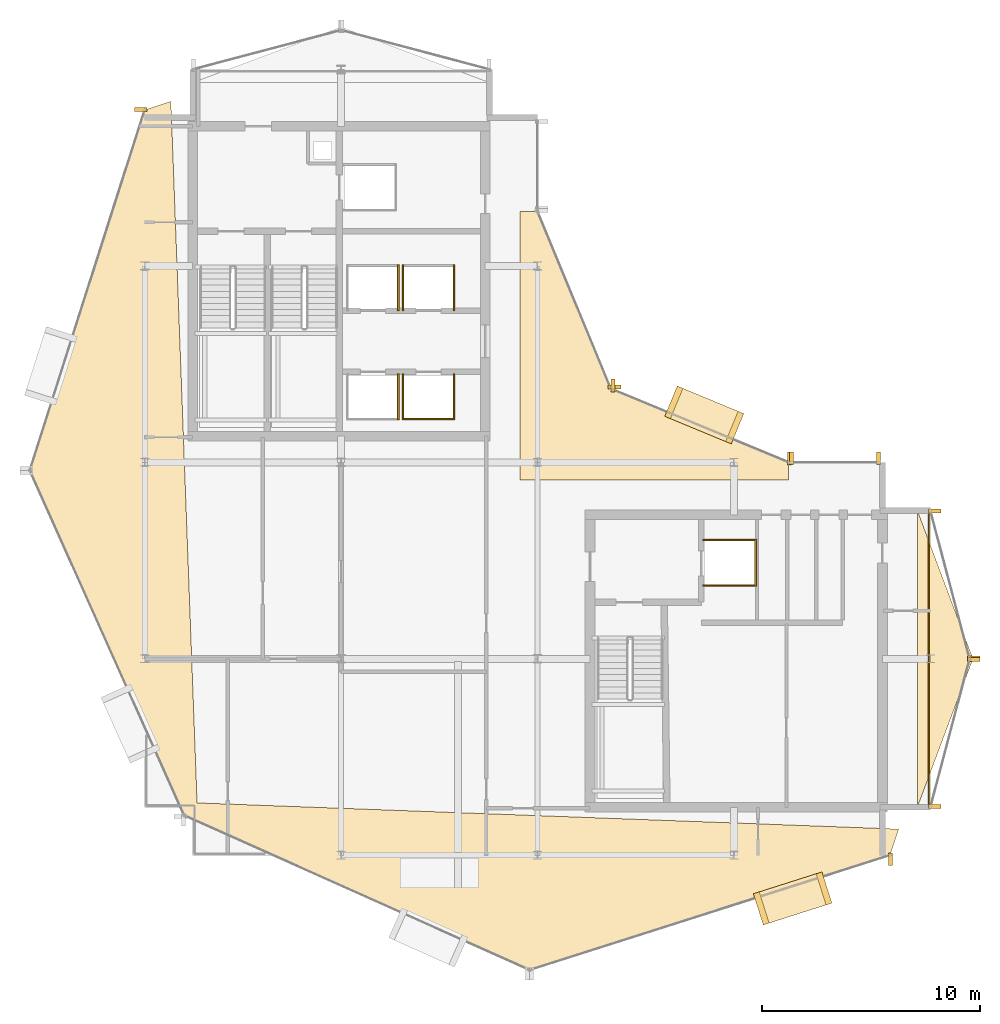
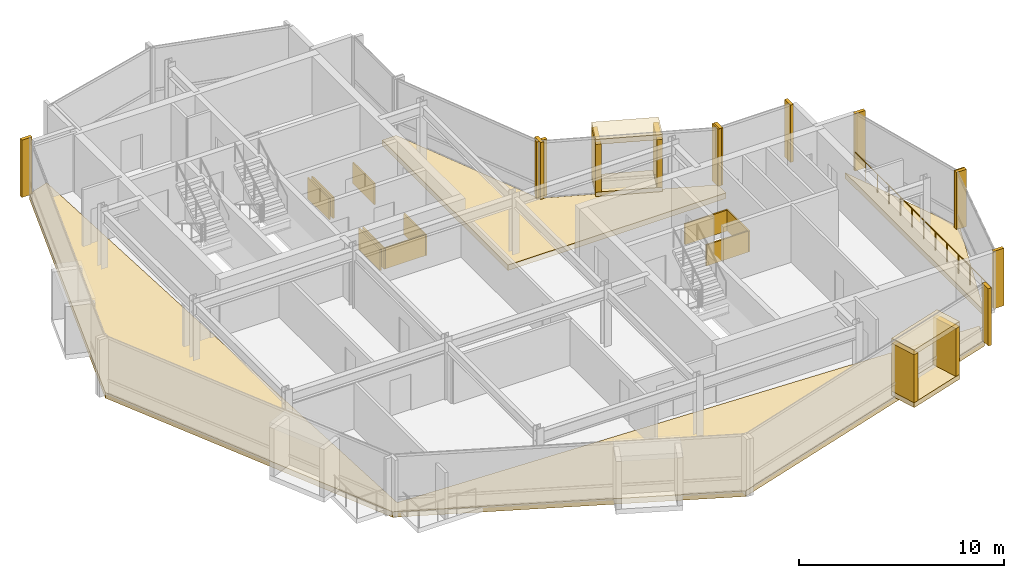
# One storey, part 18 of 19: 32 coverings, 1 railing.
"""IFC4 building model written with IfcOpenShell, lengths in metres."""

from ifc_helpers import new_model, si_unit, direction, frame, origin, origin_2d, place, context, subcontext, project, spatial, polyline, rectangle, circle, outline, extrude, material, layer, layer_set, type_object, element, save


model = new_model("IFC4")

# Units and contexts
model_context = context("Model", 3, precision=1e-05, world=origin(), true_north=direction((0.0, 1.0)))
body_context = subcontext(model_context, "Body", "Model", "MODEL_VIEW")
ifc_project = project(units=[si_unit("LENGTHUNIT", "METRE"), si_unit("AREAUNIT", "SQUARE_METRE"), si_unit("VOLUMEUNIT", "CUBIC_METRE"), si_unit("PLANEANGLEUNIT", "RADIAN"), si_unit("MASSUNIT", "GRAM", prefix="KILO")], contexts=[model_context])

# Site, building, storey
site_placement = place(None, origin())
site = spatial("IfcSite", under=ifc_project, at=site_placement, CompositionType="ELEMENT")
building_placement = place(site_placement, origin())
building = spatial("IfcBuilding", under=site, at=building_placement, Name="Solvaryn Broadcast Tower", CompositionType="ELEMENT")
storey_placement = place(building_placement, frame((0.0, 0.0, 274.10009765625)))
storey = spatial("IfcBuildingStorey", under=building, at=storey_placement, Name="L69", CompositionType="ELEMENT", Elevation=274.10009765625)

# Coverings
ifc_material_1 = material(Name="Fire-Rated Gypsum Shaftwall Liner", Category="concrete")
ifc_layer_1 = layer(ifc_material_1, 0.080078125)
ifc_layer_set_1 = layer_set([ifc_layer_1], Name="CV-SHAFT-LINER")
covering_type_1 = type_object("IfcCoveringType", Name="CV-SHAFT-LINER", PredefinedType="CLADDING", material=ifc_layer_set_1)
covering_1_placement = place(storey_placement, frame((20.614990234375, 30.0, 0.0), z_axis=(0.0, 0.0, 1.0), x_axis=(1.0, 0.0, 0.0)))
element("IfcCovering", 1, at=covering_1_placement, inside=storey, type_object=covering_type_1, Name="L69 PH1 Hoistway Shaft Liner East", PredefinedType="CLADDING", context=body_context, shape_type="SweptSolid", body=[
    extrude(rectangle(XDim=0.080078125, YDim=2.110107421875, at=origin_2d()), origin(), (0.0, 0.0, 1.0), 1.25),
])
covering_2_placement = place(storey_placement, frame((22.0, 28.985107421875, 0.0), z_axis=(0.0, 0.0, 1.0), x_axis=(1.0, 0.0, 0.0)))
element("IfcCovering", 2, at=covering_2_placement, inside=storey, type_object=covering_type_1, Name="L69 PH2 Hoistway Shaft Liner South", PredefinedType="CLADDING", context=body_context, shape_type="SweptSolid", body=[
    extrude(rectangle(XDim=2.409912109375, YDim=0.080078125, at=origin_2d()), origin(), (0.0, 0.0, 1.0), 1.25),
])
for number, where, z_axis, x_axis, name in (
    (3, (23.1650390625, 30.0, 0.0), (0.0, 0.0, 1.0), (1.0, 0.0, 0.0), "L69 PH2 Hoistway Shaft Liner East"),
    (4, (20.8349609375, 30.0, 0.0), (0.0, 0.0, 1.0), (1.0, 0.0, 0.0), "L69 PH2 Hoistway Shaft Liner West"),
    (5, (20.614990234375, 35.0, 0.0), (0.0, 0.0, 1.0), (1.0, 0.0, 0.0), "L69 PH3 Hoistway Shaft Liner East"),
    (6, (23.1650390625, 35.0, 0.0), (0.0, 0.0, 1.0), (1.0, 0.0, 0.0), "L69 PH4 Hoistway Shaft Liner East"),
    (7, (20.8349609375, 35.0, 0.0), (0.0, 0.0, 1.0), (1.0, 0.0, 0.0), "L69 PH4 Hoistway Shaft Liner West"),
):
    element("IfcCovering", number, at=place(storey_placement, frame(where, z_axis=z_axis, x_axis=x_axis)), inside=storey, type_object=covering_type_1, Name=name, PredefinedType="CLADDING", context=body_context, shape_type="SweptSolid", body=[
        extrude(rectangle(XDim=0.080078125, YDim=2.110107421875, at=origin_2d()), origin(), (0.0, 0.0, 1.0), 1.25),
    ])
for number, where, z_axis, x_axis, name in (
    (8, (35.800048828125, 23.43994140625, 0.0), (0.0, 0.0, 1.0), (1.0, 0.0, 0.0), "L69 FL2 Hoistway Shaft Liner North"),
    (9, (35.800048828125, 21.360107421875, 0.0), (0.0, 0.0, 1.0), (1.0, 0.0, 0.0), "L69 FL2 Hoistway Shaft Liner South"),
):
    element("IfcCovering", number, at=place(storey_placement, frame(where, z_axis=z_axis, x_axis=x_axis)), inside=storey, type_object=covering_type_1, Name=name, PredefinedType="CLADDING", context=body_context, shape_type="SweptSolid", body=[
        extrude(rectangle(XDim=2.4599609375, YDim=0.080078125, at=origin_2d()), origin(), (0.0, 0.0, 1.0), 1.25),
    ])
covering_3_placement = place(storey_placement, frame((36.989990234375, 22.39990234375, 0.0), z_axis=(0.0, 0.0, 1.0), x_axis=(1.0, 0.0, 0.0)))
element("IfcCovering", 10, at=covering_3_placement, inside=storey, type_object=covering_type_1, Name="L69 FL2 Hoistway Shaft Liner East", PredefinedType="CLADDING", context=body_context, shape_type="SweptSolid", body=[
    extrude(rectangle(XDim=0.080078125, YDim=2.159912109375, at=origin_2d()), origin(), (0.0, 0.0, 1.0), 1.25),
])
ifc_material_2 = material(Name="Glazed Architectural Terracotta Rainscreen Cladding", Category="masonry")
ifc_layer_2 = layer(ifc_material_2, 0.280029296875)
ifc_layer_set_2 = layer_set([ifc_layer_2], Name="CV-TC-CLAD")
covering_type_2 = type_object("IfcCoveringType", Name="CV-TC-CLAD", PredefinedType="CLADDING", material=ifc_layer_set_2)
for number, where, z_axis, x_axis, name in (
    (11, (38.68603515625, 7.02197265625, 3.1298828125), (0.0, 0.0, 1.0), (0.952820541996, 0.303534206887, 0.0), "L69 Projecting Stone Window Box Hood 4"),
    (12, (38.68603515625, 7.02197265625, -0.01025390625), (0.0, 0.0, 1.0), (0.952820541996, 0.303534206887, 0.0), "L69 Projecting Stone Window Box Sill 4"),
):
    element("IfcCovering", number, at=place(storey_placement, frame(where, z_axis=z_axis, x_axis=x_axis)), inside=storey, type_object=covering_type_2, Name=name, PredefinedType="CLADDING", context=body_context, shape_type="SweptSolid", body=[
        extrude(rectangle(XDim=3.300048828125, YDim=1.5, at=origin_2d()), origin(), (0.0, 0.0, 1.0), 0.300048828125),
    ])
for number, where, z_axis, x_axis, name in (
    (13, (37.247314453125, 6.563720703125, 0.27978515625), (0.0, 0.0, 1.0), (0.952820541996, 0.303534206887, 0.0), "L69 Projecting Stone Window Box Cheek 4-1"),
    (14, (40.124755859375, 7.480224609375, 0.27978515625), (0.0, 0.0, 1.0), (0.952820541996, 0.303534206887, 0.0), "L69 Projecting Stone Window Box Cheek 4-2"),
):
    element("IfcCovering", number, at=place(storey_placement, frame(where, z_axis=z_axis, x_axis=x_axis)), inside=storey, type_object=covering_type_2, Name=name, PredefinedType="CLADDING", context=body_context, shape_type="SweptSolid", body=[
        extrude(rectangle(XDim=0.280029296875, YDim=1.5, at=origin_2d()), origin(), (0.0, 0.0, 1.0), 2.860107421875),
    ])
for number, where, z_axis, x_axis, name in (
    (15, (34.636962890625, 29.174072265625, 3.1298828125), (0.0, 0.0, 1.0), (-0.923879532511, 0.382683432365, 0.0), "L69 Projecting Stone Window Box Hood 5"),
    (16, (34.636962890625, 29.174072265625, -0.01025390625), (0.0, 0.0, 1.0), (-0.923879532511, 0.382683432365, 0.0), "L69 Projecting Stone Window Box Sill 5"),
):
    element("IfcCovering", number, at=place(storey_placement, frame(where, z_axis=z_axis, x_axis=x_axis)), inside=storey, type_object=covering_type_2, Name=name, PredefinedType="CLADDING", context=body_context, shape_type="SweptSolid", body=[
        extrude(rectangle(XDim=3.300048828125, YDim=1.5, at=origin_2d()), origin(), (0.0, 0.0, 1.0), 0.300048828125),
    ])
for number, where, z_axis, x_axis, name in (
    (17, (36.031982421875, 28.59619140625, 0.27978515625), (0.0, 0.0, 1.0), (-0.923879532511, 0.382683432365, 0.0), "L69 Projecting Stone Window Box Cheek 5-1"),
    (18, (33.241943359375, 29.751953125, 0.27978515625), (0.0, 0.0, 1.0), (-0.923879532511, 0.382683432365, 0.0), "L69 Projecting Stone Window Box Cheek 5-2"),
):
    element("IfcCovering", number, at=place(storey_placement, frame(where, z_axis=z_axis, x_axis=x_axis)), inside=storey, type_object=covering_type_2, Name=name, PredefinedType="CLADDING", context=body_context, shape_type="SweptSolid", body=[
        extrude(rectangle(XDim=0.280029296875, YDim=1.5, at=origin_2d()), origin(), (0.0, 0.0, 1.0), 2.860107421875),
    ])
ifc_material_3 = material(Name="Extruded Architectural Terracotta Fin", Category="masonry")
ifc_layer_3 = layer(ifc_material_3, 0.179931640625)
ifc_layer_set_3 = layer_set([ifc_layer_3], Name="CV-TC-FIN")
covering_type_3 = type_object("IfcCoveringType", Name="CV-TC-FIN", PredefinedType="USERDEFINED", material=ifc_layer_set_3)
covering_4_placement = place(storey_placement, frame((8.819091796875, 43.17529296875, 0.0), z_axis=(0.0, 0.0, 1.0), x_axis=(1.0, 0.0, 0.0)))
element("IfcCovering", 19, at=covering_4_placement, inside=storey, type_object=covering_type_3, Name="L69 Terracotta Vertical Fin FIN-L69-DR1-M00", ObjectType="FIN", PredefinedType="USERDEFINED", context=body_context, shape_type="SweptSolid", body=[
    extrude(rectangle(XDim=0.580078125, YDim=0.179931640625, at=origin_2d()), origin(), (0.0, 0.0, 1.0), 3.419921875),
])
for number, where, z_axis, x_axis, name in (
    (20, (43.17529296875, 8.819091796875, 0.0), (0.0, 0.0, 1.0), (1.0, 0.0, 0.0), "L69 Terracotta Vertical Fin FIN-L69-DR4-M01"),
    (21, (38.541259765625, 27.177978515625, 0.0), (0.0, 0.0, 1.0), (1.0, 0.0, 0.0), "L69 Terracotta Vertical Fin FIN-L69-CN1-M00"),
    (22, (30.464599609375, 30.52294921875, 0.0), (0.0, 0.0, 1.0), (1.0, 0.0, 0.0), "L69 Terracotta Vertical Fin FIN-L69-CN1-M01"),
):
    element("IfcCovering", number, at=place(storey_placement, frame(where, z_axis=z_axis, x_axis=x_axis)), inside=storey, type_object=covering_type_3, Name=name, ObjectType="FIN", PredefinedType="USERDEFINED", context=body_context, shape_type="SweptSolid", body=[
        extrude(rectangle(XDim=0.179931640625, YDim=0.580078125, at=origin_2d()), origin(), (0.0, 0.0, 1.0), 3.419921875),
    ])
for number, where, z_axis, x_axis, name in (
    (23, (30.52294921875, 30.464599609375, 0.0), (0.0, 0.0, 1.0), (1.0, 0.0, 0.0), "L69 Terracotta Vertical Fin FIN-L69-CN2-M00"),
    (24, (45.1953125, 24.77099609375, 0.0), (0.0, 0.0, 1.0), (1.0, 0.0, 0.0), "L69 Terracotta Vertical Fin FIN-L69-ET1-M00"),
    (25, (46.979736328125, 18.029052734375, 0.0), (0.0, 0.0, 1.0), (1.0, 0.0, 0.0), "L69 Terracotta Vertical Fin FIN-L69-ET1-M01"),
    (26, (46.979736328125, 17.970947265625, 0.0), (0.0, 0.0, 1.0), (1.0, 0.0, 0.0), "L69 Terracotta Vertical Fin FIN-L69-ET2-M00"),
    (27, (45.1953125, 11.22900390625, 0.0), (0.0, 0.0, 1.0), (1.0, 0.0, 0.0), "L69 Terracotta Vertical Fin FIN-L69-ET2-M01"),
):
    element("IfcCovering", number, at=place(storey_placement, frame(where, z_axis=z_axis, x_axis=x_axis)), inside=storey, type_object=covering_type_3, Name=name, ObjectType="FIN", PredefinedType="USERDEFINED", context=body_context, shape_type="SweptSolid", body=[
        extrude(rectangle(XDim=0.580078125, YDim=0.179931640625, at=origin_2d()), origin(), (0.0, 0.0, 1.0), 3.419921875),
    ])
for number, where, z_axis, x_axis, name in (
    (28, (38.6298828125, 27.1875, 0.0), (0.0, 0.0, 1.0), (1.0, 0.0, 0.0), "L69 Terracotta Vertical Fin FIN-L69-IH-M00"),
    (29, (42.6201171875, 27.1875, 0.0), (0.0, 0.0, 1.0), (1.0, 0.0, 0.0), "L69 Terracotta Vertical Fin FIN-L69-IH-M01"),
):
    element("IfcCovering", number, at=place(storey_placement, frame(where, z_axis=z_axis, x_axis=x_axis)), inside=storey, type_object=covering_type_3, Name=name, ObjectType="FIN", PredefinedType="USERDEFINED", context=body_context, shape_type="SweptSolid", body=[
        extrude(rectangle(XDim=0.179931640625, YDim=0.580078125, at=origin_2d()), origin(), (0.0, 0.0, 1.0), 3.419921875),
    ])
ifc_material_4 = material(Name="Sculpted Architectural Terracotta Wave Fascia", Category="masonry")
ifc_layer_4 = layer(ifc_material_4, 0.340087890625)
ifc_layer_set_4 = layer_set([ifc_layer_4], Name="CV-WAVE-TRAY")
covering_type_4 = type_object("IfcCoveringType", Name="CV-WAVE-TRAY", PredefinedType="CLADDING", material=ifc_layer_set_4)
covering_5_placement = place(storey_placement, frame((0.0, 0.0, -0.300048828125)))
element("IfcCovering", 30, at=covering_5_placement, inside=storey, type_object=covering_type_4, Name="L69 Stepped Cylindrical Drum Floor Apron", PredefinedType="CLADDING", context=body_context, shape_type="SweptSolid", body=[
    extrude(outline(polyline([(10.199951171875, 43.549072265625), (9.0, 43.14892578125), (3.738037109375, 26.635986328125), (10.81689453125, 10.81689453125), (26.635986328125, 3.738037109375), (43.14892578125, 9.0), (43.14892578125, 9.0), (43.549072265625, 10.199951171875), (11.39990234375, 11.39990234375), (10.199951171875, 43.549072265625)])), origin(), (0.0, 0.0, 1.0), 0.329833984375),
])
covering_6_placement = place(storey_placement, frame((0.0, 0.0, -0.300048828125)))
element("IfcCovering", 31, at=covering_6_placement, inside=storey, type_object=covering_type_4, Name="L69 Concave Canyon Floor Apron", PredefinedType="CLADDING", context=body_context, shape_type="SweptSolid", body=[
    extrude(outline(polyline([(26.199951171875, 26.199951171875), (38.5, 26.199951171875), (38.5, 27.0), (30.367919921875, 30.367919921875), (27.0, 38.5), (26.199951171875, 38.5), (26.199951171875, 26.199951171875)])), origin(), (0.0, 0.0, 1.0), 0.329833984375),
])
covering_7_placement = place(storey_placement, frame((0.0, 0.0, -0.300048828125)))
element("IfcCovering", 32, at=covering_7_placement, inside=storey, type_object=covering_type_4, Name="L69 East Curved Wing Deck", PredefinedType="CLADDING", context=body_context, shape_type="SweptSolid", body=[
    extrude(outline(polyline([(44.39990234375, 11.199951171875), (46.949951171875, 18.0), (44.39990234375, 24.800048828125), (44.39990234375, 11.199951171875)])), origin(), (0.0, 0.0, 1.0), 0.329833984375),
])

# Railing
ifc_material_5 = material(Name="Stainless Steel and Laminated Glass Guard", Category="steel")
railing_type = type_object("IfcRailingType", Name="RL-TER-1150", PredefinedType="BALUSTRADE", material=ifc_material_5)
railing_placement = place(storey_placement, frame((44.919921875, 11.199951171875, 0.0)))
element("IfcRailing", 33, at=railing_placement, inside=storey, type_object=railing_type, Name="L69 East Wing Spandrel Edge Guard", PredefinedType="BALUSTRADE", context=body_context, shape_type="SweptSolid", body=[
    extrude(circle(Radius=0.02392578125, at=origin_2d()), frame((0.0, 0.0, 1.1259765625), z_axis=(0.0, 1.0, 0.0), x_axis=(-1.0, 0.0, 0.0)), (0.0, 0.0, 1.0), 13.60009765625),
    extrude(circle(Radius=0.02099609375, at=origin_2d()), origin(), (0.0, 0.0, 1.0), 1.101806640625),
    extrude(circle(Radius=0.02099609375, at=origin_2d()), frame((0.0, 1.13330078125, 0.0)), (0.0, 0.0, 1.0), 1.101806640625),
    extrude(circle(Radius=0.02099609375, at=origin_2d()), frame((0.0, 2.2666015625, 0.0)), (0.0, 0.0, 1.0), 1.101806640625),
    extrude(circle(Radius=0.02099609375, at=origin_2d()), frame((0.0, 3.39990234375, 0.0)), (0.0, 0.0, 1.0), 1.101806640625),
    extrude(circle(Radius=0.02099609375, at=origin_2d()), frame((0.0, 4.533447265625, 0.0)), (0.0, 0.0, 1.0), 1.101806640625),
    extrude(circle(Radius=0.02099609375, at=origin_2d()), frame((0.0, 5.666748046875, 0.0)), (0.0, 0.0, 1.0), 1.101806640625),
    extrude(circle(Radius=0.02099609375, at=origin_2d()), frame((0.0, 6.800048828125, 0.0)), (0.0, 0.0, 1.0), 1.101806640625),
    extrude(circle(Radius=0.02099609375, at=origin_2d()), frame((0.0, 7.933349609375, 0.0)), (0.0, 0.0, 1.0), 1.101806640625),
    extrude(circle(Radius=0.02099609375, at=origin_2d()), frame((0.0, 9.066650390625, 0.0)), (0.0, 0.0, 1.0), 1.101806640625),
    extrude(circle(Radius=0.02099609375, at=origin_2d()), frame((0.0, 10.2001953125, 0.0)), (0.0, 0.0, 1.0), 1.101806640625),
    extrude(circle(Radius=0.02099609375, at=origin_2d()), frame((0.0, 11.33349609375, 0.0)), (0.0, 0.0, 1.0), 1.101806640625),
    extrude(circle(Radius=0.02099609375, at=origin_2d()), frame((0.0, 12.466796875, 0.0)), (0.0, 0.0, 1.0), 1.101806640625),
    extrude(circle(Radius=0.02099609375, at=origin_2d()), frame((0.0, 13.60009765625, 0.0)), (0.0, 0.0, 1.0), 1.101806640625),
])

save(model, "model.ifc")
